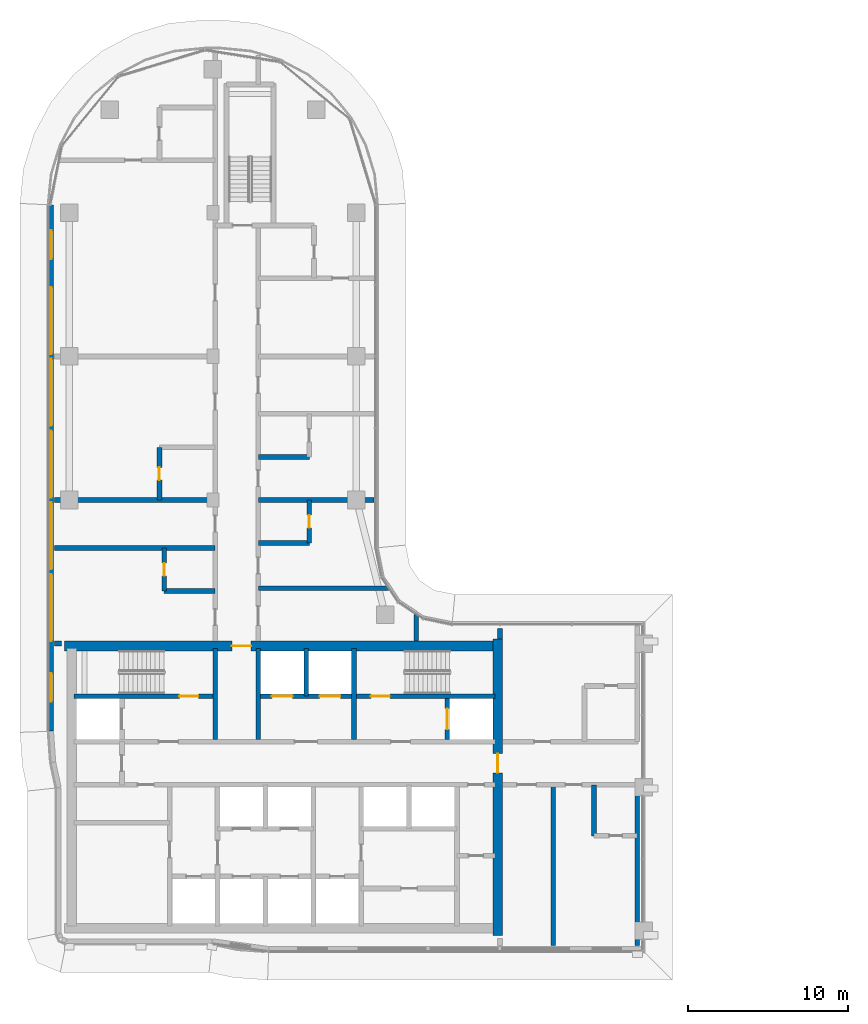
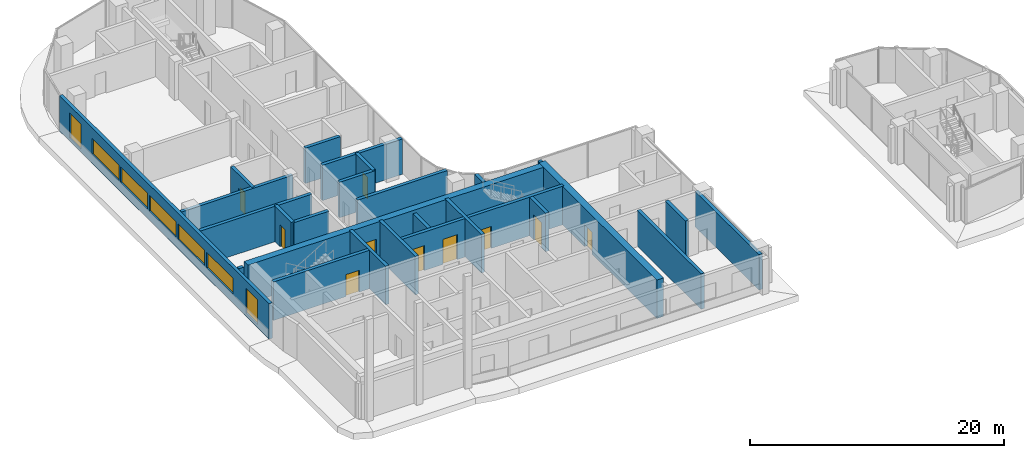
# One storey, part 12 of 27: 26 walls, 10 doors, 7 windows, 17 openings.
"""IFC4 building model written with IfcOpenShell, lengths in metres."""

from ifc_helpers import new_model, si_unit, direction, frame, frame_2d, origin, place, context, subcontext, project, spatial, rectangle, extrude, material, layer, layer_set, type_object, element, fill, save


model = new_model("IFC4")

# Units and contexts
model_context = context("Model", 3, precision=1e-05, world=origin(), true_north=direction((0.0, 1.0)))
body_context = subcontext(model_context, "Body", "Model", "MODEL_VIEW")
ifc_project = project(units=[si_unit("LENGTHUNIT", "METRE"), si_unit("AREAUNIT", "SQUARE_METRE"), si_unit("VOLUMEUNIT", "CUBIC_METRE"), si_unit("PLANEANGLEUNIT", "RADIAN"), si_unit("MASSUNIT", "GRAM", prefix="KILO")], contexts=[model_context])

# Site, building, storey
site_placement = place(None, origin())
site = spatial("IfcSite", under=ifc_project, at=site_placement, CompositionType="ELEMENT")
building_placement = place(site_placement, origin())
building = spatial("IfcBuilding", under=site, at=building_placement, Name="Ogive Portal Towers", CompositionType="ELEMENT")
storey_placement = place(building_placement, frame((0.0, 0.0, 160.699951171875)))
storey = spatial("IfcBuildingStorey", under=building, at=storey_placement, Name="L39", CompositionType="ELEMENT", Elevation=160.699951171875)

# Wall, opening, door
ifc_material_1 = material(Name="Concrete C60/75", Category="concrete")
ifc_layer_1 = layer(ifc_material_1, 0.300048828125)
ifc_layer_set_1 = layer_set([ifc_layer_1], Name="CORE WALL 300 C60")
wall_type_1 = type_object("IfcWallType", Name="CORE WALL 300 C60", PredefinedType="SHEAR", material=ifc_layer_set_1)
wall_1_placement = place(storey_placement, frame((31.800048828125, 36.199951171875, 0.0), z_axis=(0.0, 0.0, 1.0), x_axis=(1.0, 0.0, 0.0)))
wall_1 = element("IfcWall", 1, at=wall_1_placement, inside=storey, type_object=wall_type_1, Name="Core wall Y3a L39", PredefinedType="SHEAR", context=body_context, shape_type="SweptSolid", body=[
    extrude(rectangle(XDim=8.699951171875, YDim=0.300048828125, at=frame_2d((4.35009765625, 0.0))), origin(), (0.0, 0.0, 1.0), 3.699951171875),
])
opening_1_placement = place(wall_1_placement, frame((6.60009765625, 0.0, 0.0)))
opening_1 = element("IfcOpeningElement", 2, at=opening_1_placement, cuts=wall_1, Name="Opening D16-005", PredefinedType="OPENING", context=body_context, shape_type="SweptSolid", body=[
    extrude(rectangle(XDim=1.199951171875, YDim=2.10009765625, at=frame_2d((0.60009765625, 1.050048828125))), frame((0.0, 0.16015625, 0.0), z_axis=(0.0, -1.0, 0.0), x_axis=(1.0, 0.0, 0.0)), (0.0, 0.0, 1.0), 0.320068359375),
])
ifc_material_2 = material(Name="Steel fire door", Category="steel")
door_type_1 = type_object("IfcDoorType", Name="DT-SWING-1200x2100-FD90S", OperationType="SINGLE_SWING_LEFT", PredefinedType="DOOR", material=ifc_material_2)
door_1_placement = place(opening_1_placement, origin())
door_1 = element("IfcDoor", 3, at=door_1_placement, inside=storey, type_object=door_type_1, Name="Door D16-005", OperationType="SINGLE_SWING_RIGHT", OverallHeight=2.10009765625, OverallWidth=1.199951171875, PredefinedType="DOOR", context=body_context, shape_type="SweptSolid", body=[
    extrude(rectangle(XDim=1.199951171875, YDim=2.10009765625, at=frame_2d((0.60009765625, 1.050048828125))), frame((0.0, 0.02490234375, 0.0), z_axis=(0.0, -1.0, 0.0), x_axis=(1.0, 0.0, 0.0)), (0.0, 0.0, 1.0), 0.050048828125),
])
fill(opening_1, door_1)

# Wall, openings, doors
wall_2_placement = place(storey_placement, frame((43.5, 36.199951171875, 0.0), z_axis=(0.0, 0.0, 1.0), x_axis=(1.0, 0.0, 0.0)))
wall_2 = element("IfcWall", 4, at=wall_2_placement, inside=storey, type_object=wall_type_1, Name="Core wall Y3b L39", PredefinedType="SHEAR", context=body_context, shape_type="SweptSolid", body=[
    extrude(rectangle(XDim=14.699951171875, YDim=0.300048828125, at=frame_2d((7.35009765625, 0.0))), origin(), (0.0, 0.0, 1.0), 3.699951171875),
])
opening_2_placement = place(wall_2_placement, frame((6.89990234375, 0.0, 0.0)))
opening_2 = element("IfcOpeningElement", 5, at=opening_2_placement, cuts=wall_2, Name="Opening D16-006", PredefinedType="OPENING", context=body_context, shape_type="SweptSolid", body=[
    extrude(rectangle(XDim=1.199951171875, YDim=2.10009765625, at=frame_2d((0.60009765625, 1.050048828125))), frame((0.0, 0.16015625, 0.0), z_axis=(0.0, -1.0, 0.0), x_axis=(1.0, 0.0, 0.0)), (0.0, 0.0, 1.0), 0.320068359375),
])
opening_3_placement = place(wall_2_placement, frame((0.699951171875, 0.0, 0.0)))
opening_3 = element("IfcOpeningElement", 6, at=opening_3_placement, cuts=wall_2, Name="Opening D16-017", PredefinedType="OPENING", context=body_context, shape_type="SweptSolid", body=[
    extrude(rectangle(XDim=1.300048828125, YDim=2.39990234375, at=frame_2d((0.64990234375, 1.199951171875))), frame((0.0, 0.16015625, 0.0), z_axis=(0.0, -1.0, 0.0), x_axis=(1.0, 0.0, 0.0)), (0.0, 0.0, 1.0), 0.320068359375),
])
opening_4_placement = place(wall_2_placement, frame((3.699951171875, 0.0, 0.0)))
opening_4 = element("IfcOpeningElement", 7, at=opening_4_placement, cuts=wall_2, Name="Opening D16-018", PredefinedType="OPENING", context=body_context, shape_type="SweptSolid", body=[
    extrude(rectangle(XDim=1.300048828125, YDim=2.39990234375, at=frame_2d((0.64990234375, 1.199951171875))), frame((0.0, 0.16015625, 0.0), z_axis=(0.0, -1.0, 0.0), x_axis=(1.0, 0.0, 0.0)), (0.0, 0.0, 1.0), 0.320068359375),
])
ifc_material_3 = material(Name="Stainless steel", Category="steel")
door_type_2 = type_object("IfcDoorType", Name="DT-LD-1300x2400", OperationType="SLIDING_TO_LEFT", PredefinedType="DOOR", material=ifc_material_3)
door_2_placement = place(opening_3_placement, origin())
door_2 = element("IfcDoor", 8, at=door_2_placement, inside=storey, type_object=door_type_2, Name="Door D16-017", OperationType="SLIDING_TO_LEFT", OverallHeight=2.39990234375, OverallWidth=1.300048828125, PredefinedType="DOOR", context=body_context, shape_type="SweptSolid", body=[
    extrude(rectangle(XDim=1.300048828125, YDim=2.39990234375, at=frame_2d((0.64990234375, 1.199951171875))), frame((0.0, 0.02490234375, 0.0), z_axis=(0.0, -1.0, 0.0), x_axis=(1.0, 0.0, 0.0)), (0.0, 0.0, 1.0), 0.050048828125),
])
fill(opening_3, door_2)
door_3_placement = place(opening_4_placement, origin())
door_3 = element("IfcDoor", 9, at=door_3_placement, inside=storey, type_object=door_type_2, Name="Door D16-018", OperationType="SLIDING_TO_LEFT", OverallHeight=2.39990234375, OverallWidth=1.300048828125, PredefinedType="DOOR", context=body_context, shape_type="SweptSolid", body=[
    extrude(rectangle(XDim=1.300048828125, YDim=2.39990234375, at=frame_2d((0.64990234375, 1.199951171875))), frame((0.0, 0.02490234375, 0.0), z_axis=(0.0, -1.0, 0.0), x_axis=(1.0, 0.0, 0.0)), (0.0, 0.0, 1.0), 0.050048828125),
])
fill(opening_4, door_3)
door_4_placement = place(opening_2_placement, origin())
door_4 = element("IfcDoor", 10, at=door_4_placement, inside=storey, type_object=door_type_1, Name="Door D16-006", OperationType="SINGLE_SWING_LEFT", OverallHeight=2.10009765625, OverallWidth=1.199951171875, PredefinedType="DOOR", context=body_context, shape_type="SweptSolid", body=[
    extrude(rectangle(XDim=1.199951171875, YDim=2.10009765625, at=frame_2d((0.60009765625, 1.050048828125))), frame((0.0, 0.02490234375, 0.0), z_axis=(0.0, -1.0, 0.0), x_axis=(1.0, 0.0, 0.0)), (0.0, 0.0, 1.0), 0.050048828125),
])
fill(opening_2, door_4)

# Walls
for number, where, z_axis, x_axis, name in (
    (11, (40.64990234375, 33.5, 0.0), (0.0, 0.0, 1.0), (0.0, 1.0, 0.0), "Core wall X6 L39"),
    (12, (43.35009765625, 33.5, 0.0), (0.0, 0.0, 1.0), (0.0, 1.0, 0.0), "Core wall X7 L39"),
    (13, (49.35009765625, 33.5, 0.0), (0.0, 0.0, 1.0), (0.0, 1.0, 0.0), "Core wall X9 L39"),
):
    element("IfcWall", number, at=place(storey_placement, frame(where, z_axis=z_axis, x_axis=x_axis)), inside=storey, type_object=wall_type_1, Name=name, PredefinedType="SHEAR", context=body_context, shape_type="SweptSolid", body=[
        extrude(rectangle(XDim=5.699951171875, YDim=0.300048828125, at=frame_2d((2.85009765625, 0.0))), origin(), (0.0, 0.0, 1.0), 3.699951171875),
    ])

# Wall, opening, door
wall_3_placement = place(storey_placement, frame((55.199951171875, 33.5, 0.0), z_axis=(0.0, 0.0, 1.0), x_axis=(0.0, 1.0, 0.0)))
wall_3 = element("IfcWall", 14, at=wall_3_placement, inside=storey, type_object=wall_type_1, Name="Core wall X10 L39", PredefinedType="SHEAR", context=body_context, shape_type="SweptSolid", body=[
    extrude(rectangle(XDim=2.550048828125, YDim=0.300048828125, at=frame_2d((1.27490234375, 0.0))), origin(), (0.0, 0.0, 1.0), 3.699951171875),
])
opening_5_placement = place(wall_3_placement, frame((0.625, 0.0, 0.0)))
opening_5 = element("IfcOpeningElement", 15, at=opening_5_placement, cuts=wall_3, Name="Opening D16-020", PredefinedType="OPENING", context=body_context, shape_type="SweptSolid", body=[
    extrude(rectangle(XDim=1.300048828125, YDim=2.39990234375, at=frame_2d((0.64990234375, 1.199951171875))), frame((0.0, 0.16015625, 0.0), z_axis=(0.0, -1.0, 0.0), x_axis=(1.0, 0.0, 0.0)), (0.0, 0.0, 1.0), 0.320068359375),
])
door_5_placement = place(opening_5_placement, origin())
door_5 = element("IfcDoor", 16, at=door_5_placement, inside=storey, type_object=door_type_2, Name="Door D16-020", OperationType="SLIDING_TO_LEFT", OverallHeight=2.39990234375, OverallWidth=1.300048828125, PredefinedType="DOOR", context=body_context, shape_type="SweptSolid", body=[
    extrude(rectangle(XDim=1.300048828125, YDim=2.39990234375, at=frame_2d((0.64990234375, 1.199951171875))), frame((0.0, 0.02490234375, 0.0), z_axis=(0.0, -1.0, 0.0), x_axis=(1.0, 0.0, 0.0)), (0.0, 0.0, 1.0), 0.050048828125),
])
fill(opening_5, door_5)

ifc_layer_2 = layer(ifc_material_1, 0.60009765625)
ifc_layer_set_2 = layer_set([ifc_layer_2], Name="CORE WALL 600 C60")
wall_type_2 = type_object("IfcWallType", Name="CORE WALL 600 C60", PredefinedType="SHEAR", material=ifc_layer_set_2)
wall_4_placement = place(storey_placement, frame((58.35009765625, 21.199951171875, 0.0), z_axis=(0.0, 0.0, 1.0), x_axis=(0.0, 1.0, 0.0)))
wall_4 = element("IfcWall", 17, at=wall_4_placement, inside=storey, type_object=wall_type_2, Name="Core wall E L39", PredefinedType="SHEAR", context=body_context, shape_type="SweptSolid", body=[
    extrude(rectangle(XDim=18.60009765625, YDim=0.60009765625, at=frame_2d((9.300048828125, 0.0))), origin(), (0.0, 0.0, 1.0), 3.699951171875),
])
opening_6_placement = place(wall_4_placement, frame((10.199951171875, 0.0, 0.0)))
opening_6 = element("IfcOpeningElement", 18, at=opening_6_placement, cuts=wall_4, Name="Opening D16-011", PredefinedType="OPENING", context=body_context, shape_type="SweptSolid", body=[
    extrude(rectangle(XDim=1.199951171875, YDim=2.10009765625, at=frame_2d((0.60009765625, 1.050048828125))), frame((0.0, 0.31005859375, 0.0), z_axis=(0.0, -1.0, 0.0), x_axis=(1.0, 0.0, 0.0)), (0.0, 0.0, 1.0), 0.6201171875),
])
door_6_placement = place(opening_6_placement, origin())
door_6 = element("IfcDoor", 19, at=door_6_placement, inside=storey, type_object=door_type_1, Name="Door D16-011", OperationType="SINGLE_SWING_LEFT", OverallHeight=2.10009765625, OverallWidth=1.199951171875, PredefinedType="DOOR", context=body_context, shape_type="SweptSolid", body=[
    extrude(rectangle(XDim=1.199951171875, YDim=2.10009765625, at=frame_2d((0.60009765625, 1.050048828125))), frame((0.0, 0.02490234375, 0.0), z_axis=(0.0, -1.0, 0.0), x_axis=(1.0, 0.0, 0.0)), (0.0, 0.0, 1.0), 0.050048828125),
])
fill(opening_6, door_6)

wall_5_placement = place(storey_placement, frame((31.199951171875, 39.35009765625, 0.0), z_axis=(0.0, 0.0, 1.0), x_axis=(1.0, 0.0, 0.0)))
wall_5 = element("IfcWall", 20, at=wall_5_placement, inside=storey, type_object=wall_type_2, Name="Core wall N L39", PredefinedType="SHEAR", context=body_context, shape_type="SweptSolid", body=[
    extrude(rectangle(XDim=27.0, YDim=0.60009765625, at=frame_2d((13.5, 0.0))), origin(), (0.0, 0.0, 1.0), 3.699951171875),
])
opening_7_placement = place(wall_5_placement, frame((10.5, 0.0, 0.0)))
opening_7 = element("IfcOpeningElement", 21, at=opening_7_placement, cuts=wall_5, Name="Opening D16-012", PredefinedType="OPENING", context=body_context, shape_type="SweptSolid", body=[
    extrude(rectangle(XDim=1.199951171875, YDim=2.10009765625, at=frame_2d((0.60009765625, 1.050048828125))), frame((0.0, 0.31005859375, 0.0), z_axis=(0.0, -1.0, 0.0), x_axis=(1.0, 0.0, 0.0)), (0.0, 0.0, 1.0), 0.6201171875),
])
door_7_placement = place(opening_7_placement, origin())
door_7 = element("IfcDoor", 22, at=door_7_placement, inside=storey, type_object=door_type_1, Name="Door D16-012", OperationType="SINGLE_SWING_RIGHT", OverallHeight=2.10009765625, OverallWidth=1.199951171875, PredefinedType="DOOR", context=body_context, shape_type="SweptSolid", body=[
    extrude(rectangle(XDim=1.199951171875, YDim=2.10009765625, at=frame_2d((0.60009765625, 1.050048828125))), frame((0.0, 0.02490234375, 0.0), z_axis=(0.0, -1.0, 0.0), x_axis=(1.0, 0.0, 0.0)), (0.0, 0.0, 1.0), 0.050048828125),
])
fill(opening_7, door_7)

# Wall, openings, windows
ifc_material_4 = material(Name="Limestone cladding on lightweight block wall", Category="masonry")
ifc_layer_3 = layer(ifc_material_4, 0.300048828125)
ifc_layer_set_3 = layer_set([ifc_layer_3], Name="EXTERNAL WALL 300 STONE")
wall_type_3 = type_object("IfcWallType", Name="EXTERNAL WALL 300 STONE", PredefinedType="SOLIDWALL", material=ifc_layer_set_3)
wall_6_placement = place(storey_placement, frame((30.364990234375, 66.9921875, 0.0), z_axis=(0.0, 0.0, 1.0), x_axis=(0.0, -1.0, 0.0)))
wall_6 = element("IfcWall", 23, at=wall_6_placement, inside=storey, type_object=wall_type_3, Name="A:L39:f19:r0:wall", PredefinedType="SOLIDWALL", context=body_context, shape_type="SweptSolid", body=[
    extrude(rectangle(XDim=32.9814453125, YDim=0.300048828125, at=frame_2d((16.49072265625, 0.0))), origin(), (0.0, 0.0, 1.0), 3.400146484375),
])
opening_8_placement = place(wall_6_placement, frame((1.595947265625, 0.0, 0.300048828125)))
opening_8 = element("IfcOpeningElement", 24, at=opening_8_placement, cuts=wall_6, Name="Opening WN10", PredefinedType="OPENING", context=body_context, shape_type="SweptSolid", body=[
    extrude(rectangle(XDim=1.800048828125, YDim=2.39990234375, at=frame_2d((0.89990234375, 1.199951171875))), frame((0.0, 0.16015625, 0.0), z_axis=(0.0, -1.0, 0.0), x_axis=(1.0, 0.0, 0.0)), (0.0, 0.0, 1.0), 0.320068359375),
])
opening_9_placement = place(wall_6_placement, frame((5.14208984375, 0.0, 0.89990234375)))
opening_9 = element("IfcOpeningElement", 25, at=opening_9_placement, cuts=wall_6, Name="Opening WN11", PredefinedType="OPENING", context=body_context, shape_type="SweptSolid", body=[
    extrude(rectangle(XDim=4.199951171875, YDim=1.5, at=frame_2d((2.10009765625, 0.75))), frame((0.0, 0.16015625, 0.0), z_axis=(0.0, -1.0, 0.0), x_axis=(1.0, 0.0, 0.0)), (0.0, 0.0, 1.0), 0.320068359375),
])
opening_10_placement = place(wall_6_placement, frame((9.64208984375, 0.0, 0.89990234375)))
opening_10 = element("IfcOpeningElement", 26, at=opening_10_placement, cuts=wall_6, Name="Opening WN11", PredefinedType="OPENING", context=body_context, shape_type="SweptSolid", body=[
    extrude(rectangle(XDim=4.199951171875, YDim=1.5, at=frame_2d((2.10009765625, 0.75))), frame((0.0, 0.16015625, 0.0), z_axis=(0.0, -1.0, 0.0), x_axis=(1.0, 0.0, 0.0)), (0.0, 0.0, 1.0), 0.320068359375),
])
opening_11_placement = place(wall_6_placement, frame((14.14208984375, 0.0, 0.89990234375)))
opening_11 = element("IfcOpeningElement", 27, at=opening_11_placement, cuts=wall_6, Name="Opening WN11", PredefinedType="OPENING", context=body_context, shape_type="SweptSolid", body=[
    extrude(rectangle(XDim=4.199951171875, YDim=1.5, at=frame_2d((2.10009765625, 0.75))), frame((0.0, 0.16015625, 0.0), z_axis=(0.0, -1.0, 0.0), x_axis=(1.0, 0.0, 0.0)), (0.0, 0.0, 1.0), 0.320068359375),
])
opening_12_placement = place(wall_6_placement, frame((18.64208984375, 0.0, 0.89990234375)))
opening_12 = element("IfcOpeningElement", 28, at=opening_12_placement, cuts=wall_6, Name="Opening WN11", PredefinedType="OPENING", context=body_context, shape_type="SweptSolid", body=[
    extrude(rectangle(XDim=4.199951171875, YDim=1.5, at=frame_2d((2.10009765625, 0.75))), frame((0.0, 0.16015625, 0.0), z_axis=(0.0, -1.0, 0.0), x_axis=(1.0, 0.0, 0.0)), (0.0, 0.0, 1.0), 0.320068359375),
])
opening_13_placement = place(wall_6_placement, frame((23.14208984375, 0.0, 0.89990234375)))
opening_13 = element("IfcOpeningElement", 29, at=opening_13_placement, cuts=wall_6, Name="Opening WN11", PredefinedType="OPENING", context=body_context, shape_type="SweptSolid", body=[
    extrude(rectangle(XDim=4.199951171875, YDim=1.5, at=frame_2d((2.10009765625, 0.75))), frame((0.0, 0.16015625, 0.0), z_axis=(0.0, -1.0, 0.0), x_axis=(1.0, 0.0, 0.0)), (0.0, 0.0, 1.0), 0.320068359375),
])
opening_14_placement = place(wall_6_placement, frame((29.336669921875, 0.0, 0.300048828125)))
opening_14 = element("IfcOpeningElement", 30, at=opening_14_placement, cuts=wall_6, Name="Opening WN10", PredefinedType="OPENING", context=body_context, shape_type="SweptSolid", body=[
    extrude(rectangle(XDim=1.800048828125, YDim=2.39990234375, at=frame_2d((0.89990234375, 1.199951171875))), frame((0.0, 0.16015625, 0.0), z_axis=(0.0, -1.0, 0.0), x_axis=(1.0, 0.0, 0.0)), (0.0, 0.0, 1.0), 0.320068359375),
])
ifc_material_5 = material(Name="Glass, clear low-iron insulated glazing", Category="glass")
window_type_1 = type_object("IfcWindowType", Name="WINDOW RIBBON 4200x1500", PartitioningType="TRIPLE_PANEL_VERTICAL", PredefinedType="WINDOW", material=ifc_material_5)
window_1_placement = place(opening_9_placement, origin())
window_1 = element("IfcWindow", 31, at=window_1_placement, inside=storey, type_object=window_type_1, Name="A:L39:f19:r0:w1", OverallHeight=1.5, OverallWidth=4.199951171875, PartitioningType="SINGLE_PANEL", PredefinedType="WINDOW", context=body_context, shape_type="SweptSolid", body=[
    extrude(rectangle(XDim=4.199951171875, YDim=1.5, at=frame_2d((2.10009765625, 0.75))), frame((0.0, 0.030029296875, 0.0), z_axis=(0.0, -1.0, 0.0), x_axis=(1.0, 0.0, 0.0)), (0.0, 0.0, 1.0), 0.06005859375),
])
fill(opening_9, window_1)
window_2_placement = place(opening_10_placement, origin())
window_2 = element("IfcWindow", 32, at=window_2_placement, inside=storey, type_object=window_type_1, Name="A:L39:f19:r0:w2", OverallHeight=1.5, OverallWidth=4.199951171875, PartitioningType="SINGLE_PANEL", PredefinedType="WINDOW", context=body_context, shape_type="SweptSolid", body=[
    extrude(rectangle(XDim=4.199951171875, YDim=1.5, at=frame_2d((2.10009765625, 0.75))), frame((0.0, 0.030029296875, 0.0), z_axis=(0.0, -1.0, 0.0), x_axis=(1.0, 0.0, 0.0)), (0.0, 0.0, 1.0), 0.06005859375),
])
fill(opening_10, window_2)
window_3_placement = place(opening_11_placement, origin())
window_3 = element("IfcWindow", 33, at=window_3_placement, inside=storey, type_object=window_type_1, Name="A:L39:f19:r0:w3", OverallHeight=1.5, OverallWidth=4.199951171875, PartitioningType="SINGLE_PANEL", PredefinedType="WINDOW", context=body_context, shape_type="SweptSolid", body=[
    extrude(rectangle(XDim=4.199951171875, YDim=1.5, at=frame_2d((2.10009765625, 0.75))), frame((0.0, 0.030029296875, 0.0), z_axis=(0.0, -1.0, 0.0), x_axis=(1.0, 0.0, 0.0)), (0.0, 0.0, 1.0), 0.06005859375),
])
fill(opening_11, window_3)
window_4_placement = place(opening_12_placement, origin())
window_4 = element("IfcWindow", 34, at=window_4_placement, inside=storey, type_object=window_type_1, Name="A:L39:f19:r0:w4", OverallHeight=1.5, OverallWidth=4.199951171875, PartitioningType="SINGLE_PANEL", PredefinedType="WINDOW", context=body_context, shape_type="SweptSolid", body=[
    extrude(rectangle(XDim=4.199951171875, YDim=1.5, at=frame_2d((2.10009765625, 0.75))), frame((0.0, 0.030029296875, 0.0), z_axis=(0.0, -1.0, 0.0), x_axis=(1.0, 0.0, 0.0)), (0.0, 0.0, 1.0), 0.06005859375),
])
fill(opening_12, window_4)
window_5_placement = place(opening_13_placement, origin())
window_5 = element("IfcWindow", 35, at=window_5_placement, inside=storey, type_object=window_type_1, Name="A:L39:f19:r0:w5", OverallHeight=1.5, OverallWidth=4.199951171875, PartitioningType="SINGLE_PANEL", PredefinedType="WINDOW", context=body_context, shape_type="SweptSolid", body=[
    extrude(rectangle(XDim=4.199951171875, YDim=1.5, at=frame_2d((2.10009765625, 0.75))), frame((0.0, 0.030029296875, 0.0), z_axis=(0.0, -1.0, 0.0), x_axis=(1.0, 0.0, 0.0)), (0.0, 0.0, 1.0), 0.06005859375),
])
fill(opening_13, window_5)
window_type_2 = type_object("IfcWindowType", Name="WINDOW SUITE CORNER 1800x2400", PartitioningType="DOUBLE_PANEL_VERTICAL", PredefinedType="WINDOW", material=ifc_material_5)
window_6_placement = place(opening_8_placement, origin())
window_6 = element("IfcWindow", 36, at=window_6_placement, inside=storey, type_object=window_type_2, Name="A:L39:f19:r0:w0", OverallHeight=2.39990234375, OverallWidth=1.800048828125, PartitioningType="SINGLE_PANEL", PredefinedType="WINDOW", context=body_context, shape_type="SweptSolid", body=[
    extrude(rectangle(XDim=1.800048828125, YDim=2.39990234375, at=frame_2d((0.89990234375, 1.199951171875))), frame((0.0, 0.030029296875, 0.0), z_axis=(0.0, -1.0, 0.0), x_axis=(1.0, 0.0, 0.0)), (0.0, 0.0, 1.0), 0.06005859375),
])
fill(opening_8, window_6)
window_7_placement = place(opening_14_placement, origin())
window_7 = element("IfcWindow", 37, at=window_7_placement, inside=storey, type_object=window_type_2, Name="A:L39:f19:r0:w6", OverallHeight=2.39990234375, OverallWidth=1.800048828125, PartitioningType="SINGLE_PANEL", PredefinedType="WINDOW", context=body_context, shape_type="SweptSolid", body=[
    extrude(rectangle(XDim=1.800048828125, YDim=2.39990234375, at=frame_2d((0.89990234375, 1.199951171875))), frame((0.0, 0.030029296875, 0.0), z_axis=(0.0, -1.0, 0.0), x_axis=(1.0, 0.0, 0.0)), (0.0, 0.0, 1.0), 0.06005859375),
])
fill(opening_14, window_7)

# Walls
ifc_material_6 = material(Name="Gypsum board partition on steel studs", Category="steel")
ifc_layer_4 = layer(ifc_material_6, 0.300048828125)
ifc_layer_set_4 = layer_set([ifc_layer_4], Name="WT-PART-300-EI 60")
wall_type_4 = type_object("IfcWallType", Name="WT-PART-300-EI 60", PredefinedType="PARTITIONING", material=ifc_layer_set_4)
wall_7_placement = place(storey_placement, frame((30.56494140625, 39.5, 0.0), z_axis=(0.0, 0.0, 1.0), x_axis=(1.0, 0.0, 0.0)))
element("IfcWall", 38, at=wall_7_placement, inside=storey, type_object=wall_type_4, Name="Wall L39:w008", PredefinedType="PARTITIONING", context=body_context, shape_type="SweptSolid", body=[
    extrude(rectangle(XDim=0.465087890625, YDim=0.300048828125, at=frame_2d((0.232421875, 0.0))), origin(), (0.0, 0.0, 1.0), 3.400146484375),
])
wall_8_placement = place(storey_placement, frame((37.449951171875, 42.800048828125, 0.0), z_axis=(0.0, 0.0, 1.0), x_axis=(1.0, 0.0, 0.0)))
element("IfcWall", 39, at=wall_8_placement, inside=storey, type_object=wall_type_4, Name="Wall L39:w009", PredefinedType="PARTITIONING", context=body_context, shape_type="SweptSolid", body=[
    extrude(rectangle(XDim=3.199951171875, YDim=0.300048828125, at=frame_2d((1.60009765625, 0.0))), origin(), (0.0, 0.0, 1.0), 3.400146484375),
])
wall_9_placement = place(storey_placement, frame((43.35009765625, 42.969970703125, 0.0), z_axis=(0.0, 0.0, 1.0), x_axis=(1.0, 0.0, 0.0)))
element("IfcWall", 40, at=wall_9_placement, inside=storey, type_object=wall_type_4, Name="Wall L39:w010", PredefinedType="PARTITIONING", context=body_context, shape_type="SweptSolid", body=[
    extrude(rectangle(XDim=8.14892578125, YDim=0.300048828125, at=frame_2d((4.074462890625, 0.0))), origin(), (0.0, 0.0, 1.0), 3.400146484375),
])
wall_10_placement = place(storey_placement, frame((30.56494140625, 45.5, 0.0), z_axis=(0.0, 0.0, 1.0), x_axis=(1.0, 0.0, 0.0)))
element("IfcWall", 41, at=wall_10_placement, inside=storey, type_object=wall_type_4, Name="Wall L39:w011", PredefinedType="PARTITIONING", context=body_context, shape_type="SweptSolid", body=[
    extrude(rectangle(XDim=10.0849609375, YDim=0.300048828125, at=frame_2d((5.04248046875, 0.0))), origin(), (0.0, 0.0, 1.0), 3.400146484375),
])
wall_11_placement = place(storey_placement, frame((43.35009765625, 45.800048828125, 0.0), z_axis=(0.0, 0.0, 1.0), x_axis=(1.0, 0.0, 0.0)))
element("IfcWall", 42, at=wall_11_placement, inside=storey, type_object=wall_type_4, Name="Wall L39:w012", PredefinedType="PARTITIONING", context=body_context, shape_type="SweptSolid", body=[
    extrude(rectangle(XDim=3.199951171875, YDim=0.300048828125, at=frame_2d((1.60009765625, 0.0))), origin(), (0.0, 0.0, 1.0), 3.400146484375),
])
wall_12_placement = place(storey_placement, frame((30.56494140625, 48.5, 0.0), z_axis=(0.0, 0.0, 1.0), x_axis=(1.0, 0.0, 0.0)))
element("IfcWall", 43, at=wall_12_placement, inside=storey, type_object=wall_type_4, Name="Wall L39:w013", PredefinedType="PARTITIONING", context=body_context, shape_type="SweptSolid", body=[
    extrude(rectangle(XDim=10.0849609375, YDim=0.300048828125, at=frame_2d((5.04248046875, 0.0))), origin(), (0.0, 0.0, 1.0), 3.400146484375),
])
wall_13_placement = place(storey_placement, frame((43.35009765625, 48.5, 0.0), z_axis=(0.0, 0.0, 1.0), x_axis=(1.0, 0.0, 0.0)))
element("IfcWall", 44, at=wall_13_placement, inside=storey, type_object=wall_type_4, Name="Wall L39:w014", PredefinedType="PARTITIONING", context=body_context, shape_type="SweptSolid", body=[
    extrude(rectangle(XDim=7.264892578125, YDim=0.300048828125, at=frame_2d((3.63232421875, 0.0))), origin(), (0.0, 0.0, 1.0), 3.400146484375),
])
wall_14_placement = place(storey_placement, frame((43.35009765625, 51.199951171875, 0.0), z_axis=(0.0, 0.0, 1.0), x_axis=(1.0, 0.0, 0.0)))
element("IfcWall", 45, at=wall_14_placement, inside=storey, type_object=wall_type_4, Name="Wall L39:w015", PredefinedType="PARTITIONING", context=body_context, shape_type="SweptSolid", body=[
    extrude(rectangle(XDim=3.199951171875, YDim=0.300048828125, at=frame_2d((1.60009765625, 0.0))), origin(), (0.0, 0.0, 1.0), 3.400146484375),
])

# Wall, opening, door
wall_15_placement = place(storey_placement, frame((37.14990234375, 48.5, 0.0), z_axis=(0.0, 0.0, 1.0), x_axis=(0.0, 1.0, 0.0)))
wall_15 = element("IfcWall", 46, at=wall_15_placement, inside=storey, type_object=wall_type_4, Name="Wall L39:w025", PredefinedType="PARTITIONING", context=body_context, shape_type="SweptSolid", body=[
    extrude(rectangle(XDim=3.300048828125, YDim=0.300048828125, at=frame_2d((1.64990234375, 0.0))), origin(), (0.0, 0.0, 1.0), 3.400146484375),
])
opening_15_placement = place(wall_15_placement, frame((1.25, 0.0, 0.0)))
opening_15 = element("IfcOpeningElement", 47, at=opening_15_placement, cuts=wall_15, Name="Opening D16-040", PredefinedType="OPENING", context=body_context, shape_type="SweptSolid", body=[
    extrude(rectangle(XDim=0.800048828125, YDim=2.10009765625, at=frame_2d((0.39990234375, 1.050048828125))), frame((0.0, 0.16015625, 0.0), z_axis=(0.0, -1.0, 0.0), x_axis=(1.0, 0.0, 0.0)), (0.0, 0.0, 1.0), 0.320068359375),
])
door_type_3 = type_object("IfcDoorType", Name="DT-BATH-800x2100-FD60S", OperationType="SINGLE_SWING_LEFT", PredefinedType="DOOR", material=ifc_material_2)
door_8_placement = place(opening_15_placement, origin())
door_8 = element("IfcDoor", 48, at=door_8_placement, inside=storey, type_object=door_type_3, Name="Door D16-040", OperationType="SINGLE_SWING_LEFT", OverallHeight=2.10009765625, OverallWidth=0.800048828125, PredefinedType="DOOR", context=body_context, shape_type="SweptSolid", body=[
    extrude(rectangle(XDim=0.800048828125, YDim=2.10009765625, at=frame_2d((0.39990234375, 1.050048828125))), frame((0.0, 0.02490234375, 0.0), z_axis=(0.0, -1.0, 0.0), x_axis=(1.0, 0.0, 0.0)), (0.0, 0.0, 1.0), 0.050048828125),
])
fill(opening_15, door_8)

wall_16_placement = place(storey_placement, frame((37.449951171875, 42.800048828125, 0.0), z_axis=(0.0, 0.0, 1.0), x_axis=(0.0, 1.0, 0.0)))
wall_16 = element("IfcWall", 49, at=wall_16_placement, inside=storey, type_object=wall_type_4, Name="Wall L39:w027", PredefinedType="PARTITIONING", context=body_context, shape_type="SweptSolid", body=[
    extrude(rectangle(XDim=2.699951171875, YDim=0.300048828125, at=frame_2d((1.35009765625, 0.0))), origin(), (0.0, 0.0, 1.0), 3.400146484375),
])
opening_16_placement = place(wall_16_placement, frame((0.949951171875, 0.0, 0.0)))
opening_16 = element("IfcOpeningElement", 50, at=opening_16_placement, cuts=wall_16, Name="Opening D16-034", PredefinedType="OPENING", context=body_context, shape_type="SweptSolid", body=[
    extrude(rectangle(XDim=0.800048828125, YDim=2.10009765625, at=frame_2d((0.39990234375, 1.050048828125))), frame((0.0, 0.16015625, 0.0), z_axis=(0.0, -1.0, 0.0), x_axis=(1.0, 0.0, 0.0)), (0.0, 0.0, 1.0), 0.320068359375),
])
door_9_placement = place(opening_16_placement, origin())
door_9 = element("IfcDoor", 51, at=door_9_placement, inside=storey, type_object=door_type_3, Name="Door D16-034", OperationType="SINGLE_SWING_LEFT", OverallHeight=2.10009765625, OverallWidth=0.800048828125, PredefinedType="DOOR", context=body_context, shape_type="SweptSolid", body=[
    extrude(rectangle(XDim=0.800048828125, YDim=2.10009765625, at=frame_2d((0.39990234375, 1.050048828125))), frame((0.0, 0.02490234375, 0.0), z_axis=(0.0, -1.0, 0.0), x_axis=(1.0, 0.0, 0.0)), (0.0, 0.0, 1.0), 0.050048828125),
])
fill(opening_16, door_9)

wall_17_placement = place(storey_placement, frame((46.550048828125, 45.800048828125, 0.0), z_axis=(0.0, 0.0, 1.0), x_axis=(0.0, 1.0, 0.0)))
wall_17 = element("IfcWall", 52, at=wall_17_placement, inside=storey, type_object=wall_type_4, Name="Wall L39:w033", PredefinedType="PARTITIONING", context=body_context, shape_type="SweptSolid", body=[
    extrude(rectangle(XDim=2.699951171875, YDim=0.300048828125, at=frame_2d((1.35009765625, 0.0))), origin(), (0.0, 0.0, 1.0), 3.400146484375),
])
opening_17_placement = place(wall_17_placement, frame((0.949951171875, 0.0, 0.0)))
opening_17 = element("IfcOpeningElement", 53, at=opening_17_placement, cuts=wall_17, Name="Opening D16-032", PredefinedType="OPENING", context=body_context, shape_type="SweptSolid", body=[
    extrude(rectangle(XDim=0.800048828125, YDim=2.10009765625, at=frame_2d((0.39990234375, 1.050048828125))), frame((0.0, 0.16015625, 0.0), z_axis=(0.0, -1.0, 0.0), x_axis=(1.0, 0.0, 0.0)), (0.0, 0.0, 1.0), 0.320068359375),
])
door_10_placement = place(opening_17_placement, origin())
door_10 = element("IfcDoor", 54, at=door_10_placement, inside=storey, type_object=door_type_3, Name="Door D16-032", OperationType="SINGLE_SWING_LEFT", OverallHeight=2.10009765625, OverallWidth=0.800048828125, PredefinedType="DOOR", context=body_context, shape_type="SweptSolid", body=[
    extrude(rectangle(XDim=0.800048828125, YDim=2.10009765625, at=frame_2d((0.39990234375, 1.050048828125))), frame((0.0, 0.02490234375, 0.0), z_axis=(0.0, -1.0, 0.0), x_axis=(1.0, 0.0, 0.0)), (0.0, 0.0, 1.0), 0.050048828125),
])
fill(opening_17, door_10)

# Walls
wall_18_placement = place(storey_placement, frame((53.25, 39.64990234375, 0.0), z_axis=(0.0, 0.0, 1.0), x_axis=(0.0, 1.0, 0.0)))
element("IfcWall", 55, at=wall_18_placement, inside=storey, type_object=wall_type_4, Name="Wall L39:w036", PredefinedType="PARTITIONING", context=body_context, shape_type="SweptSolid", body=[
    extrude(rectangle(XDim=1.6611328125, YDim=0.300048828125, at=frame_2d((0.83056640625, 0.0))), origin(), (0.0, 0.0, 1.0), 3.400146484375),
])
wall_19_placement = place(storey_placement, frame((58.5, 39.7900390625, 0.0), z_axis=(0.0, 0.0, 1.0), x_axis=(0.0, 1.0, 0.0)))
element("IfcWall", 56, at=wall_19_placement, inside=storey, type_object=wall_type_4, Name="Wall L39:w038", PredefinedType="PARTITIONING", context=body_context, shape_type="SweptSolid", body=[
    extrude(rectangle(XDim=0.64501953125, YDim=0.300048828125, at=frame_2d((0.322509765625, 0.0))), origin(), (0.0, 0.0, 1.0), 3.400146484375),
])
wall_20_placement = place(storey_placement, frame((61.837890625, 20.56494140625, 0.0), z_axis=(0.0, 0.0, 1.0), x_axis=(0.0, 1.0, 0.0)))
element("IfcWall", 57, at=wall_20_placement, inside=storey, type_object=wall_type_4, Name="Wall L39:w039", PredefinedType="PARTITIONING", context=body_context, shape_type="SweptSolid", body=[
    extrude(rectangle(XDim=10.0849609375, YDim=0.300048828125, at=frame_2d((5.04248046875, 0.0))), origin(), (0.0, 0.0, 1.0), 3.400146484375),
])
wall_21_placement = place(storey_placement, frame((64.39990234375, 27.449951171875, 0.0), z_axis=(0.0, 0.0, 1.0), x_axis=(0.0, 1.0, 0.0)))
element("IfcWall", 58, at=wall_21_placement, inside=storey, type_object=wall_type_4, Name="Wall L39:w041", PredefinedType="PARTITIONING", context=body_context, shape_type="SweptSolid", body=[
    extrude(rectangle(XDim=3.199951171875, YDim=0.300048828125, at=frame_2d((1.60009765625, 0.0))), origin(), (0.0, 0.0, 1.0), 3.400146484375),
])
wall_22_placement = place(storey_placement, frame((67.10009765625, 20.56494140625, 0.0), z_axis=(0.0, 0.0, 1.0), x_axis=(0.0, 1.0, 0.0)))
element("IfcWall", 59, at=wall_22_placement, inside=storey, type_object=wall_type_4, Name="Wall L39:w042", PredefinedType="PARTITIONING", context=body_context, shape_type="SweptSolid", body=[
    extrude(rectangle(XDim=10.0849609375, YDim=0.300048828125, at=frame_2d((5.04248046875, 0.0))), origin(), (0.0, 0.0, 1.0), 3.400146484375),
])
ifc_material_7 = material(Name="Concrete C40/50", Category="concrete")
ifc_layer_5 = layer(ifc_material_7, 0.300048828125)
ifc_layer_set_5 = layer_set([ifc_layer_5], Name="WT-SHAFT-300")
wall_type_5 = type_object("IfcWallType", Name="WT-SHAFT-300", PredefinedType="SOLIDWALL", material=ifc_layer_set_5)
wall_23_placement = place(storey_placement, frame((46.35009765625, 36.199951171875, 0.0), z_axis=(0.0, 0.0, 1.0), x_axis=(0.0, 1.0, 0.0)))
element("IfcWall", 60, at=wall_23_placement, inside=storey, type_object=wall_type_5, Name="Wall pw:010:L39", PredefinedType="SOLIDWALL", context=body_context, shape_type="SweptSolid", body=[
    extrude(rectangle(XDim=3.0, YDim=0.300048828125, at=frame_2d((1.5, 0.0))), origin(), (0.0, 0.0, 1.0), 3.400146484375),
])

save(model, "model.ifc")
